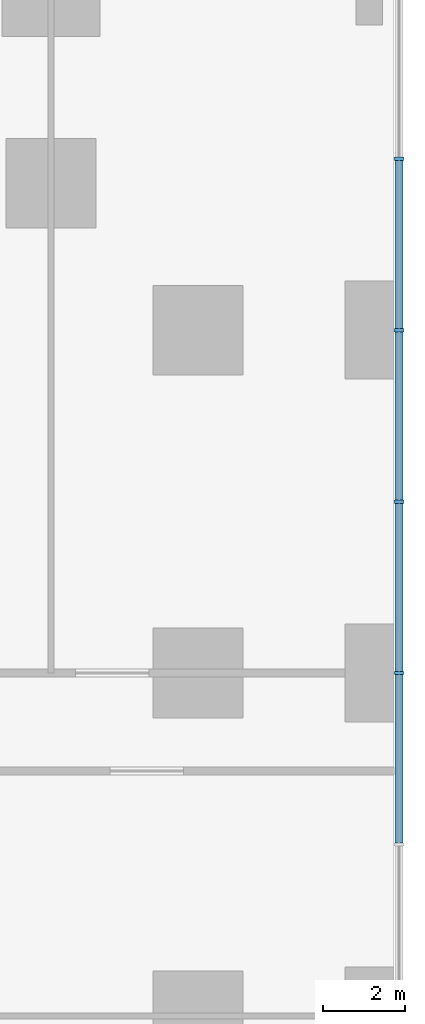
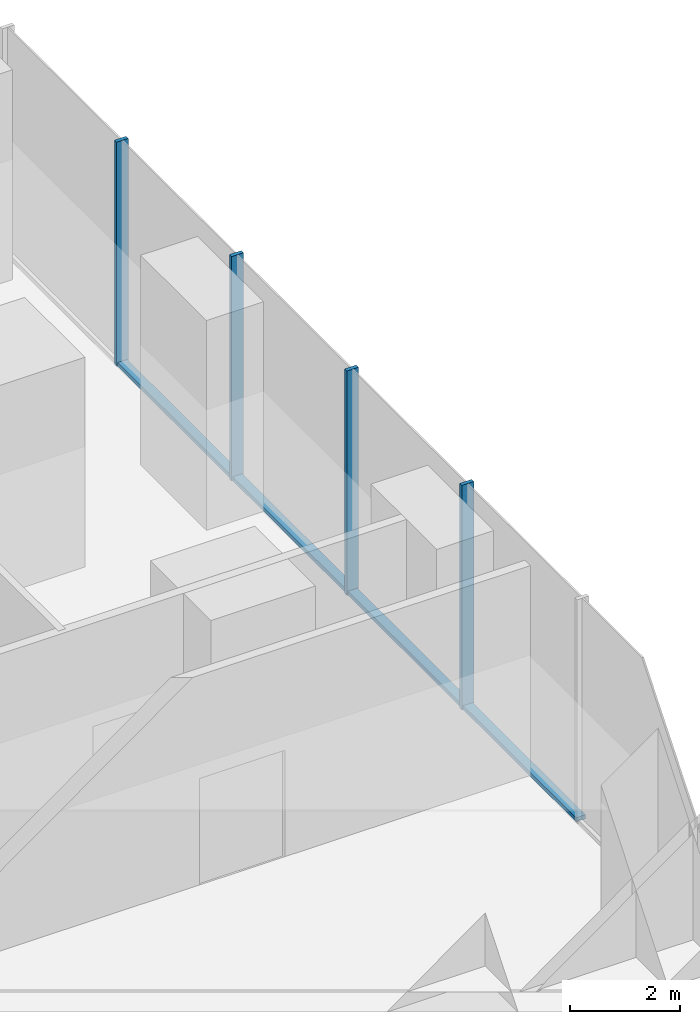
# One storey, part 20 of 33: 8 members, 1 element without a shape of its own.
"""IFC4 building model written with IfcOpenShell, lengths in metres."""

import ifcopenshell
import ifcopenshell.guid

model = None  # the IFC model being written
_history = None  # IfcOwnerHistory: only IFC2X3 demands one
_inside = {}  # id of a spatial element -> (the spatial element, [elements in it])
_under = {}  # id of a project, library or spatial element -> (it, [spatial elements below it])
_declared = {}  # id of a project -> (the project, [libraries it declares])
_typed = {}  # id of a type object -> (the type object, [elements of that type])
_made_of = {}  # id of a material, layer set ... -> (it, [elements and type objects made of it])


def new_model(schema):
    """Start an empty IFC model of exactly this schema.

    Asked for "IFC4X3", IfcOpenShell would pick the latest addendum, in which some entities
    have other attributes; the version numbers below select the first issue.
    IFC2X3 requires an IfcOwnerHistory on every rooted entity: one is made here for all.
    """
    global model, _history
    if schema == "IFC4X3":
        model = ifcopenshell.file(schema_version=(4, 3, 0, 0))
    else:
        model = ifcopenshell.file(schema=schema)
    _inside.clear()
    _under.clear()
    _declared.clear()
    _typed.clear()
    _made_of.clear()
    _history = None
    if model.schema == "IFC2X3":
        org = make("IfcOrganization", Name="unknown")
        user = make(
            "IfcPersonAndOrganization",
            ThePerson=make("IfcPerson", FamilyName="unknown"),
            TheOrganization=org,
        )
        app = make(
            "IfcApplication",
            ApplicationDeveloper=org,
            Version="unknown",
            ApplicationFullName="unknown",
            ApplicationIdentifier="unknown",
        )
        _history = make(
            "IfcOwnerHistory",
            OwningUser=user,
            OwningApplication=app,
            ChangeAction="ADDED",
            CreationDate=0,
        )
    return model


def make(cls, **values):
    """One entity of the class cls with the attributes given. An attribute that is None is left unset."""
    return model.create_entity(
        cls, **{name: value for name, value in values.items() if value is not None}
    )


def rooted(cls, **values):
    """An entity with a GlobalId (a new one), such as an element, a storey or a relation."""
    return make(cls, GlobalId=ifcopenshell.guid.new(), OwnerHistory=_history, **values)


def si_unit(unit_type, name, prefix=None):
    """IfcSIUnit, for example si_unit("LENGTHUNIT", "METRE", prefix="MILLI")."""
    return make("IfcSIUnit", UnitType=unit_type, Prefix=prefix, Name=name)


def assignment(units):
    """IfcUnitAssignment: the units of a project."""
    return None if units is None else make("IfcUnitAssignment", Units=units)


def point(xyz):
    """IfcCartesianPoint."""
    return None if xyz is None else make("IfcCartesianPoint", Coordinates=xyz)


def direction(xyz):
    """IfcDirection."""
    return None if xyz is None else make("IfcDirection", DirectionRatios=xyz)


def frame(location, z_axis=None, x_axis=None):
    """IfcAxis2Placement3D, a coordinate frame: its origin and axes. An axis left out is left unset."""
    return make(
        "IfcAxis2Placement3D",
        Location=point(location),
        Axis=direction(z_axis),
        RefDirection=direction(x_axis),
    )


def frame_2d(location, x_axis=None):
    """IfcAxis2Placement2D, a coordinate frame in the plane: its origin and x axis."""
    return make(
        "IfcAxis2Placement2D", Location=point(location), RefDirection=direction(x_axis)
    )


def origin():
    """The frame at (0, 0, 0) with its axes left unset."""
    return frame((0.0, 0.0, 0.0))


def origin_2d():
    """The frame at (0, 0) in the plane with its x axis left unset."""
    return frame_2d((0.0, 0.0))


def place(relative_to, where):
    """IfcLocalPlacement: puts the frame where relative to a parent placement (None: the world)."""
    return make(
        "IfcLocalPlacement", PlacementRelTo=relative_to, RelativePlacement=where
    )


def context(
    kind, dimensions, precision=None, world=None, true_north=None, identifier=None
):
    """IfcGeometricRepresentationContext, for example the 3D "Model" context."""
    return make(
        "IfcGeometricRepresentationContext",
        ContextIdentifier=identifier,
        ContextType=kind,
        CoordinateSpaceDimension=dimensions,
        Precision=precision,
        WorldCoordinateSystem=world,
        TrueNorth=true_north,
    )


def subcontext(parent, identifier, kind, view, scale=None):
    """IfcGeometricRepresentationSubContext, for example "Body" below "Model"."""
    return make(
        "IfcGeometricRepresentationSubContext",
        ContextIdentifier=identifier,
        ContextType=kind,
        ParentContext=parent,
        TargetScale=scale,
        TargetView=view,
    )


def project(units=None, contexts=None):
    """IfcProject with its units and contexts."""
    return rooted(
        "IfcProject",
        Name="project",
        RepresentationContexts=contexts,
        UnitsInContext=assignment(units),
    )


def spatial(cls, under=None, at=None, **own):
    """A site, building, storey or space (cls), placed at a placement, below another one or the project."""
    s = rooted(cls, ObjectPlacement=at, **own)
    if under is not None:
        _under.setdefault(under.id(), (under, []))[1].append(s)
    return s


def profile(cls, at=None, kind="AREA", **sizes):
    """A parametric profile (cls). Its sizes go by their IFC names, for example OverallWidth=200.0."""
    return make(cls, ProfileType=kind, Position=at, **sizes)


def rectangle(**sizes):
    """IfcRectangleProfileDef."""
    return profile("IfcRectangleProfileDef", **sizes)


def extrude(swept, where, along, depth):
    """IfcExtrudedAreaSolid: the profile swept, set in the frame where, extruded along a direction by depth."""
    return make(
        "IfcExtrudedAreaSolid",
        SweptArea=swept,
        Position=where,
        ExtrudedDirection=direction(along),
        Depth=depth,
    )


def shape(context_of_items, identifier, shape_type, items):
    """IfcShapeRepresentation: the items that make up one representation, for example the "Body"."""
    return make(
        "IfcShapeRepresentation",
        ContextOfItems=context_of_items,
        RepresentationIdentifier=identifier,
        RepresentationType=shape_type,
        Items=items,
    )


def material(Name=None, Category=None):
    """IfcMaterial."""
    return make("IfcMaterial", Name=Name, Category=Category)


def material_profile(
    of_material, cross_section, Name=None, Category=None, Priority=None
):
    """IfcMaterialProfile: a cross section and its material."""
    return make(
        "IfcMaterialProfile",
        Name=Name,
        Material=of_material,
        Profile=cross_section,
        Priority=Priority,
        Category=Category,
    )


def profile_set(profiles, Name=None, composite=None):
    """IfcMaterialProfileSet."""
    return make(
        "IfcMaterialProfileSet",
        Name=Name,
        MaterialProfiles=profiles,
        CompositeProfile=composite,
    )


def made_of(thing, what):
    """Note that an element or type object is made of a material, layer set ...; save() writes the relation."""
    if what is not None:
        _made_of.setdefault(what.id(), (what, []))[1].append(thing)
    return thing


def type_object(cls, material=None, **own):
    """A type object (cls), such as IfcWallType, which elements share."""
    return made_of(rooted(cls, **own), material)


def element(
    cls,
    number,
    at=None,
    inside=None,
    cuts=None,
    type_object=None,
    material=None,
    context=None,
    identifier="Body",
    shape_type=None,
    held_by="IfcProductDefinitionShape",
    body=None,
    shapes=None,
    **own,
):
    """One element of the class cls, such as IfcWall. Its Tag is "e" and its number.

    at: its placement. inside: the storey or other place that contains it. cuts: it is an
    opening in that element (IfcRelVoidsElement). A single representation is given by context,
    identifier, shape_type and body (its items); several are given by shapes. held_by: the class
    of the entity that holds the representations. save() writes the other relations.
    """
    e = rooted(cls, Tag="e%d" % number, ObjectPlacement=at, **own)
    if body is not None:
        shapes = [shape(context, identifier, shape_type, body)]
    if shapes is not None:
        e.Representation = make(held_by, Representations=shapes)
    if inside is not None:
        _inside.setdefault(inside.id(), (inside, []))[1].append(e)
    if cuts is not None:
        rooted(
            "IfcRelVoidsElement", RelatingBuildingElement=cuts, RelatedOpeningElement=e
        )
    if type_object is not None:
        _typed.setdefault(type_object.id(), (type_object, []))[1].append(e)
    return made_of(e, material)


def aggregate(whole, parts):
    """IfcRelAggregates: a whole, such as a stair, and the parts it consists of."""
    return rooted("IfcRelAggregates", RelatingObject=whole, RelatedObjects=parts)


def save(model, path):
    """Write the relations noted so far, then the file.

    IfcRelAggregates (storeys below a building ...), IfcRelContainedInSpatialStructure (elements
    in a storey), IfcRelDefinesByType, IfcRelAssociatesMaterial and IfcRelDeclares: one each for
    every whole, place, type object, material and project.
    """
    for whole, parts in _under.values():
        aggregate(whole, parts)
    for where, things in _inside.values():
        rooted(
            "IfcRelContainedInSpatialStructure",
            RelatedElements=things,
            RelatingStructure=where,
        )
    for kind, things in _typed.values():
        rooted("IfcRelDefinesByType", RelatedObjects=things, RelatingType=kind)
    for what, things in _made_of.values():
        rooted("IfcRelAssociatesMaterial", RelatedObjects=things, RelatingMaterial=what)
    for by, libraries in _declared.values():
        rooted("IfcRelDeclares", RelatingContext=by, RelatedDefinitions=libraries)
    model.write(path)


model = new_model("IFC4")

# Units and contexts
model_context = context("Model", 3, precision=1e-05, world=origin(), true_north=direction((0.0, 1.0)))
body_context = subcontext(model_context, "Body", "Model", "MODEL_VIEW")
ifc_project = project(units=[si_unit("LENGTHUNIT", "METRE"), si_unit("AREAUNIT", "SQUARE_METRE"), si_unit("VOLUMEUNIT", "CUBIC_METRE"), si_unit("PLANEANGLEUNIT", "RADIAN"), si_unit("MASSUNIT", "GRAM", prefix="KILO")], contexts=[model_context])

# Site, building, storey
site_placement = place(None, origin())
site = spatial("IfcSite", under=ifc_project, at=site_placement, CompositionType="ELEMENT")
building_placement = place(site_placement, origin())
building = spatial("IfcBuilding", under=site, at=building_placement, Name="Dunama Terrace Hotel", CompositionType="ELEMENT")
storey_placement = place(building_placement, frame((0.0, 0.0, 12.0)))
storey = spatial("IfcBuildingStorey", under=building, at=storey_placement, Name="L02", CompositionType="ELEMENT", Elevation=12.0)

# Curtain wall, members
ifc_material_1 = material(Name="Aluminium curtain wall system", Category="aluminium")
curtain_wall_type = type_object("IfcCurtainWallType", Name="Podium storefront glazing CW-E", PredefinedType="NOTDEFINED", material=ifc_material_1)
curtain_wall_placement = place(storey_placement, origin())
curtain_wall = element("IfcCurtainWall", 1, at=curtain_wall_placement, inside=storey, type_object=curtain_wall_type, Name="Podium storefront glazing CW-E L02", PredefinedType="NOTDEFINED")
ifc_material_2 = material(Name="Aluminium mullion", Category="aluminium")
ifc_material_profile_1 = material_profile(ifc_material_2, rectangle(XDim=0.080078125, YDim=0.25, at=origin_2d()), Name="CWE MULLION 80X250")
ifc_profile_set_1 = profile_set([ifc_material_profile_1], Name="Aluminium mullion")
member_type_1 = type_object("IfcMemberType", Name="CWE mullion 80x250", PredefinedType="MULLION", material=ifc_profile_set_1)
member_1_placement = place(storey_placement, frame((58.925048828125, 42.0, 0.0), z_axis=(0.0, 0.0, 1.0), x_axis=(0.0, 1.0, 0.0)))
member_1 = element("IfcMember", 2, at=member_1_placement, type_object=member_type_1, Name="CWE mullion", PredefinedType="MULLION", context=body_context, shape_type="SweptSolid", body=[
    extrude(rectangle(XDim=0.080078125, YDim=0.25, at=origin_2d()), origin(), (0.0, 0.0, 1.0), 5.0),
])
member_2_placement = place(storey_placement, frame((58.925048828125, 46.199951171875, 0.0), z_axis=(0.0, 0.0, 1.0), x_axis=(0.0, 1.0, 0.0)))
member_2 = element("IfcMember", 3, at=member_2_placement, type_object=member_type_1, Name="CWE mullion", PredefinedType="MULLION", context=body_context, shape_type="SweptSolid", body=[
    extrude(rectangle(XDim=0.080078125, YDim=0.25, at=origin_2d()), origin(), (0.0, 0.0, 1.0), 5.0),
])
member_3_placement = place(storey_placement, frame((58.925048828125, 50.39990234375, 0.0), z_axis=(0.0, 0.0, 1.0), x_axis=(0.0, 1.0, 0.0)))
member_3 = element("IfcMember", 4, at=member_3_placement, type_object=member_type_1, Name="CWE mullion", PredefinedType="MULLION", context=body_context, shape_type="SweptSolid", body=[
    extrude(rectangle(XDim=0.080078125, YDim=0.25, at=origin_2d()), origin(), (0.0, 0.0, 1.0), 5.0),
])
member_4_placement = place(storey_placement, frame((58.925048828125, 54.60009765625, 0.0), z_axis=(0.0, 0.0, 1.0), x_axis=(0.0, 1.0, 0.0)))
member_4 = element("IfcMember", 5, at=member_4_placement, type_object=member_type_1, Name="CWE mullion", PredefinedType="MULLION", context=body_context, shape_type="SweptSolid", body=[
    extrude(rectangle(XDim=0.080078125, YDim=0.25, at=origin_2d()), origin(), (0.0, 0.0, 1.0), 5.0),
])
ifc_material_3 = material(Name="Aluminium transom", Category="aluminium")
ifc_material_profile_2 = material_profile(ifc_material_3, rectangle(XDim=0.199951171875, YDim=0.090087890625, at=origin_2d()), Name="CWE TRANSOM 200X90")
ifc_profile_set_2 = profile_set([ifc_material_profile_2], Name="Aluminium transom")
member_type_2 = type_object("IfcMemberType", Name="CWE transom 200x90", PredefinedType="USERDEFINED", material=ifc_profile_set_2)
member_5_placement = place(storey_placement, frame((58.925048828125, 37.840087890625, 0.044921875), z_axis=(0.0, 1.0, 0.0), x_axis=(-1.0, 0.0, 0.0)))
member_5 = element("IfcMember", 6, at=member_5_placement, type_object=member_type_2, Name="CWE transom", ObjectType="TRANSOM", PredefinedType="USERDEFINED", context=body_context, shape_type="SweptSolid", body=[
    extrude(rectangle(XDim=0.199951171875, YDim=0.090087890625, at=origin_2d()), origin(), (0.0, 0.0, 1.0), 4.119873046875),
])
member_6_placement = place(storey_placement, frame((58.925048828125, 42.0400390625, 0.044921875), z_axis=(0.0, 1.0, 0.0), x_axis=(-1.0, 0.0, 0.0)))
member_6 = element("IfcMember", 7, at=member_6_placement, type_object=member_type_2, Name="CWE transom", ObjectType="TRANSOM", PredefinedType="USERDEFINED", context=body_context, shape_type="SweptSolid", body=[
    extrude(rectangle(XDim=0.199951171875, YDim=0.090087890625, at=origin_2d()), origin(), (0.0, 0.0, 1.0), 4.119873046875),
])
member_7_placement = place(storey_placement, frame((58.925048828125, 46.239990234375, 0.044921875), z_axis=(0.0, 1.0, 0.0), x_axis=(-1.0, 0.0, 0.0)))
member_7 = element("IfcMember", 8, at=member_7_placement, type_object=member_type_2, Name="CWE transom", ObjectType="TRANSOM", PredefinedType="USERDEFINED", context=body_context, shape_type="SweptSolid", body=[
    extrude(rectangle(XDim=0.199951171875, YDim=0.090087890625, at=origin_2d()), origin(), (0.0, 0.0, 1.0), 4.1201171875),
])
member_8_placement = place(storey_placement, frame((58.925048828125, 50.43994140625, 0.044921875), z_axis=(0.0, 1.0, 0.0), x_axis=(-1.0, 0.0, 0.0)))
member_8 = element("IfcMember", 9, at=member_8_placement, type_object=member_type_2, Name="CWE transom", ObjectType="TRANSOM", PredefinedType="USERDEFINED", context=body_context, shape_type="SweptSolid", body=[
    extrude(rectangle(XDim=0.199951171875, YDim=0.090087890625, at=origin_2d()), origin(), (0.0, 0.0, 1.0), 4.1201171875),
])
aggregate(curtain_wall, [member_1, member_2, member_3, member_4, member_5, member_6, member_7, member_8])

save(model, "model.ifc")
